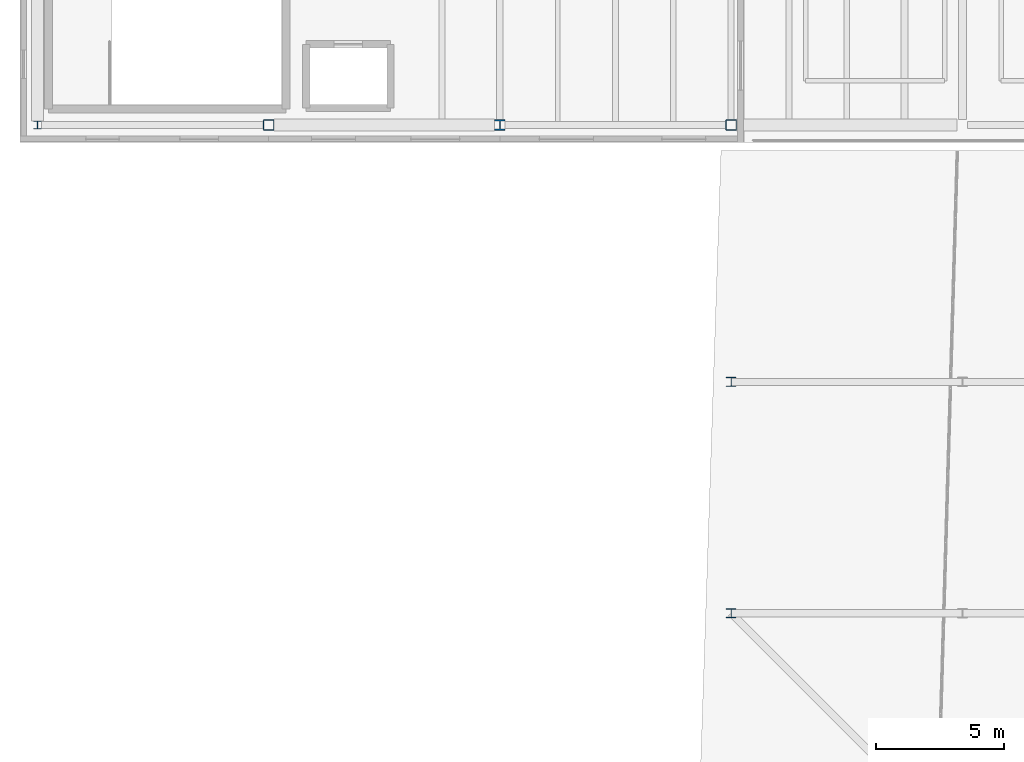
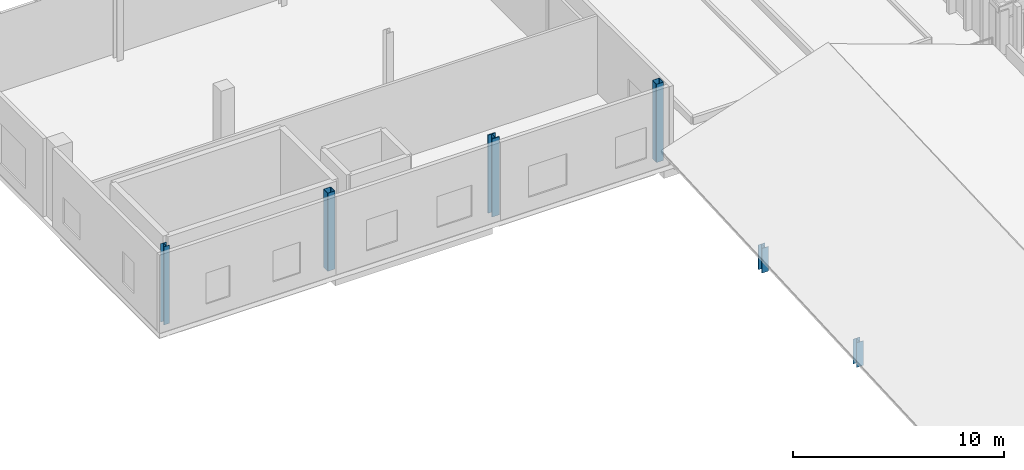
# One storey, part 1 of 30: 6 columns.
"""IFC4 building model written with IfcOpenShell, lengths in metres."""

from ifc_helpers import new_model, si_unit, direction, frame, origin, origin_2d, place, context, subcontext, project, spatial, hollow_rectangle, i_section, extrude, material, material_profile, profile_set, type_object, element, save


model = new_model("IFC4")

# Units and contexts
model_context = context("Model", 3, precision=1e-05, world=origin(), true_north=direction((0.0, 1.0)))
body_context = subcontext(model_context, "Body", "Model", "MODEL_VIEW")
ifc_project = project(units=[si_unit("LENGTHUNIT", "METRE"), si_unit("AREAUNIT", "SQUARE_METRE"), si_unit("VOLUMEUNIT", "CUBIC_METRE"), si_unit("PLANEANGLEUNIT", "RADIAN"), si_unit("MASSUNIT", "GRAM", prefix="KILO")], contexts=[model_context])

# Site, building, storey
site_placement = place(None, origin())
site = spatial("IfcSite", under=ifc_project, at=site_placement, CompositionType="ELEMENT")
building_placement = place(site_placement, origin())
building = spatial("IfcBuilding", under=site, at=building_placement, Name="Trimount Lyric Opera House", CompositionType="ELEMENT")
storey_placement = place(building_placement, frame((0.0, 0.0, 24.800048828125)))
storey = spatial("IfcBuildingStorey", under=building, at=storey_placement, Name="L05", CompositionType="ELEMENT", Elevation=24.800048828125)

# Columns
ifc_material_1 = material(Name="Steel ASTM A992 Grade 50", Category="steel")
ifc_material_profile_1 = material_profile(ifc_material_1, i_section(OverallWidth=0.406005859375, OverallDepth=0.4169921875, WebThickness=0.02978515625, FlangeThickness=0.048095703125, FilletRadius=0.01806640625, at=origin_2d()), Name="W14X257")
ifc_profile_set_1 = profile_set([ifc_material_profile_1], Name="Steel ASTM A992 Grade 50")
column_type_1 = type_object("IfcColumnType", Name="C-02", PredefinedType="COLUMN", material=ifc_profile_set_1)
column_1_placement = place(storey_placement, frame((36.0, 54.0, 0.0), z_axis=(0.0, 0.0, 1.0), x_axis=(1.0, 0.0, 0.0)))
element("IfcColumn", 1, at=column_1_placement, inside=storey, type_object=column_type_1, Name="L05 column 5/G", PredefinedType="COLUMN", context=body_context, shape_type="SweptSolid", body=[
    extrude(i_section(OverallWidth=0.406005859375, OverallDepth=0.4169921875, WebThickness=0.02978515625, FlangeThickness=0.048095703125, FilletRadius=0.01806640625, at=origin_2d()), origin(), (0.0, 0.0, 1.0), 4.530029296875),
])
ifc_material_2 = material(Name="Steel ASTM A992 Grade 50", Category="steel")
ifc_material_profile_2 = material_profile(ifc_material_2, i_section(OverallWidth=0.367919921875, OverallDepth=0.35595703125, WebThickness=0.01123046875, FlangeThickness=0.01806640625, FilletRadius=0.014892578125, at=origin_2d()), Name="W14X90")
ifc_profile_set_2 = profile_set([ifc_material_profile_2], Name="Steel ASTM A992 Grade 50")
column_type_2 = type_object("IfcColumnType", Name="C-05", PredefinedType="COLUMN", material=ifc_profile_set_2)
for number, where, z_axis, x_axis, name in (
    (2, (45.0, 35.0, -0.360107421875), (0.0, 0.0, 1.0), (1.0, 0.0, 0.0), "L05 crystal roof column 45/35"),
    (3, (45.0, 44.0, -0.360107421875), (0.0, 0.0, 1.0), (1.0, 0.0, 0.0), "L05 crystal roof column 45/44"),
):
    element("IfcColumn", number, at=place(storey_placement, frame(where, z_axis=z_axis, x_axis=x_axis)), inside=storey, type_object=column_type_2, Name=name, PredefinedType="COLUMN", context=body_context, shape_type="SweptSolid", body=[
        extrude(i_section(OverallWidth=0.367919921875, OverallDepth=0.35595703125, WebThickness=0.01123046875, FlangeThickness=0.01806640625, FilletRadius=0.014892578125, at=origin_2d()), origin(), (0.0, 0.0, 1.0), 1.43017578125),
    ])
ifc_material_3 = material(Name="Steel ASTM A992 Grade 50", Category="steel")
ifc_material_profile_3 = material_profile(ifc_material_3, i_section(OverallWidth=0.304931640625, OverallDepth=0.306884765625, WebThickness=0.010009765625, FlangeThickness=0.015380859375, FilletRadius=0.012939453125, at=origin_2d()), Name="W12X65")
ifc_profile_set_3 = profile_set([ifc_material_profile_3], Name="Steel ASTM A992 Grade 50")
column_type_3 = type_object("IfcColumnType", Name="C-06", PredefinedType="COLUMN", material=ifc_profile_set_3)
column_2_placement = place(storey_placement, frame((18.0, 54.0, 0.0), z_axis=(0.0, 0.0, 1.0), x_axis=(1.0, 0.0, 0.0)))
element("IfcColumn", 4, at=column_2_placement, inside=storey, type_object=column_type_3, Name="L05 column 3/G", PredefinedType="COLUMN", context=body_context, shape_type="SweptSolid", body=[
    extrude(i_section(OverallWidth=0.304931640625, OverallDepth=0.306884765625, WebThickness=0.010009765625, FlangeThickness=0.015380859375, FilletRadius=0.012939453125, at=origin_2d()), origin(), (0.0, 0.0, 1.0), 4.530029296875),
])
ifc_material_4 = material(Name="Steel ASTM A500 Grade C", Category="steel")
ifc_material_profile_4 = material_profile(ifc_material_4, hollow_rectangle(XDim=0.406494140625, YDim=0.406494140625, WallThickness=0.014892578125, InnerFilletRadius=0.01513671875, OuterFilletRadius=0.030029296875, at=origin_2d()), Name="HSS406.4X406.4X15.9")
ifc_profile_set_4 = profile_set([ifc_material_profile_4], Name="Steel ASTM A500 Grade C")
column_type_4 = type_object("IfcColumnType", Name="C-07", PredefinedType="COLUMN", material=ifc_profile_set_4)
for number, where, z_axis, x_axis, name in (
    (5, (27.0, 54.0, 0.0), (0.0, 0.0, 1.0), (1.0, 0.0, 0.0), "L05 column 4/G"),
    (6, (45.0, 54.0, 0.0), (0.0, 0.0, 1.0), (1.0, 0.0, 0.0), "L05 column 6/G"),
):
    element("IfcColumn", number, at=place(storey_placement, frame(where, z_axis=z_axis, x_axis=x_axis)), inside=storey, type_object=column_type_4, Name=name, PredefinedType="COLUMN", context=body_context, shape_type="SweptSolid", body=[
        extrude(hollow_rectangle(XDim=0.406494140625, YDim=0.406494140625, WallThickness=0.014892578125, InnerFilletRadius=0.01513671875, OuterFilletRadius=0.030029296875, at=origin_2d()), origin(), (0.0, 0.0, 1.0), 4.530029296875),
    ])

save(model, "model.ifc")
